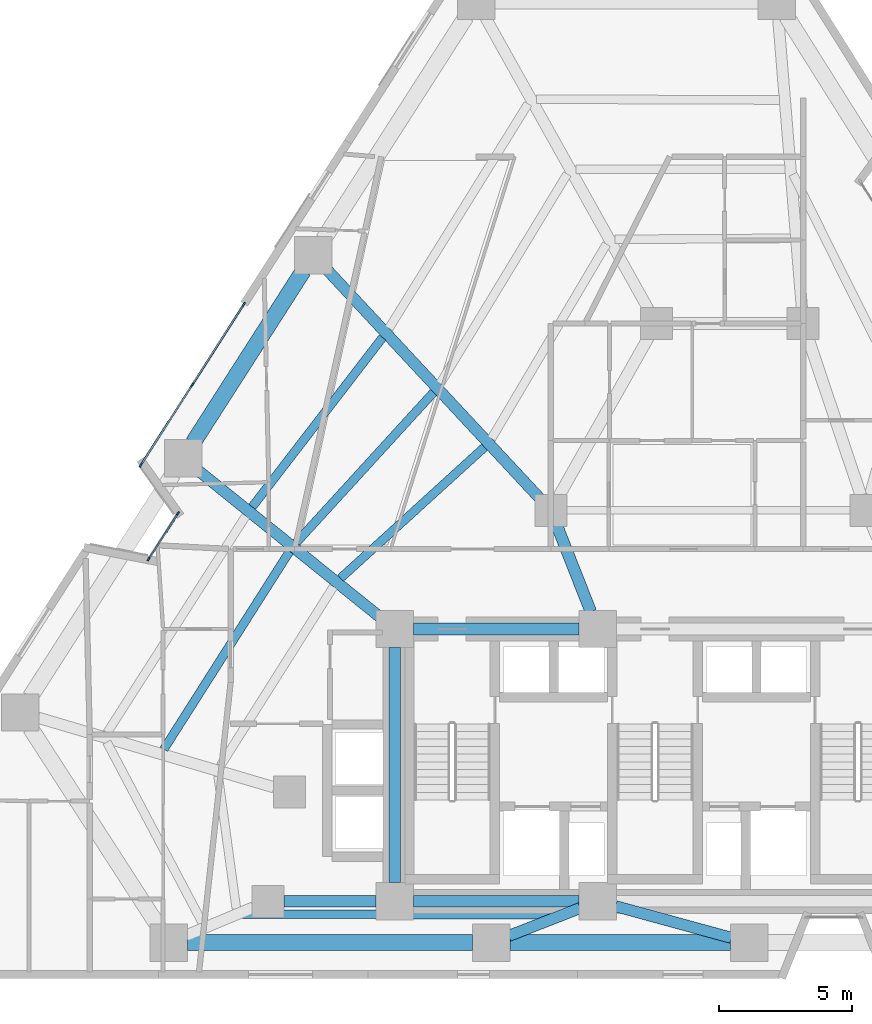
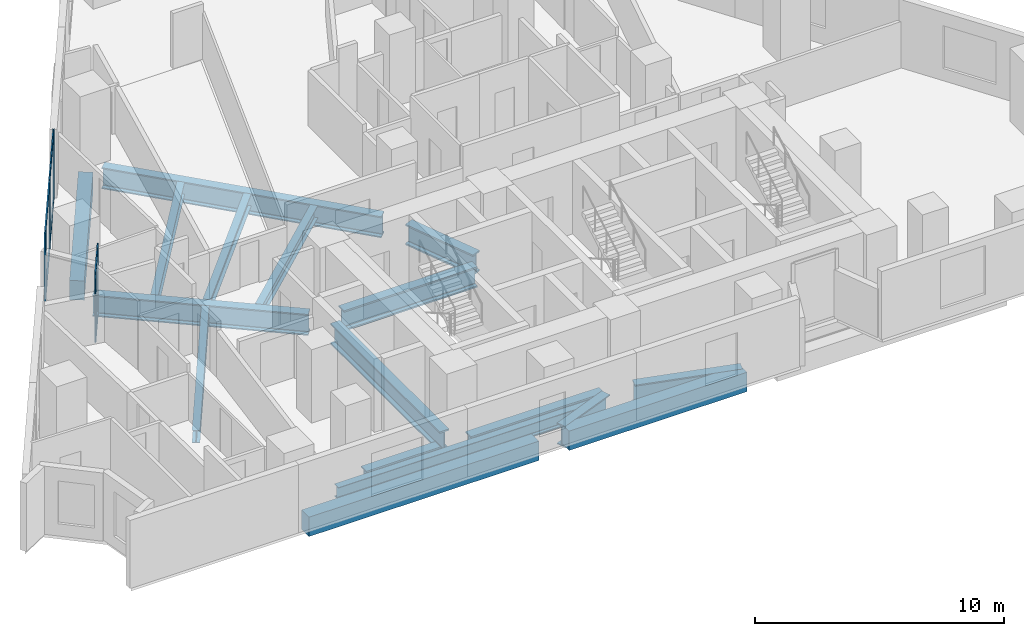
# One storey, part 2 of 14: 17 beams, 11 members, 2 elements without a shape of their own.
"""IFC4 building model written with IfcOpenShell, lengths in metres."""

import ifcopenshell
import ifcopenshell.guid

model = None  # the IFC model being written
_history = None  # IfcOwnerHistory: only IFC2X3 demands one
_inside = {}  # id of a spatial element -> (the spatial element, [elements in it])
_under = {}  # id of a project, library or spatial element -> (it, [spatial elements below it])
_declared = {}  # id of a project -> (the project, [libraries it declares])
_typed = {}  # id of a type object -> (the type object, [elements of that type])
_made_of = {}  # id of a material, layer set ... -> (it, [elements and type objects made of it])


def new_model(schema):
    """Start an empty IFC model of exactly this schema.

    Asked for "IFC4X3", IfcOpenShell would pick the latest addendum, in which some entities
    have other attributes; the version numbers below select the first issue.
    IFC2X3 requires an IfcOwnerHistory on every rooted entity: one is made here for all.
    """
    global model, _history
    if schema == "IFC4X3":
        model = ifcopenshell.file(schema_version=(4, 3, 0, 0))
    else:
        model = ifcopenshell.file(schema=schema)
    _inside.clear()
    _under.clear()
    _declared.clear()
    _typed.clear()
    _made_of.clear()
    _history = None
    if model.schema == "IFC2X3":
        org = make("IfcOrganization", Name="unknown")
        user = make(
            "IfcPersonAndOrganization",
            ThePerson=make("IfcPerson", FamilyName="unknown"),
            TheOrganization=org,
        )
        app = make(
            "IfcApplication",
            ApplicationDeveloper=org,
            Version="unknown",
            ApplicationFullName="unknown",
            ApplicationIdentifier="unknown",
        )
        _history = make(
            "IfcOwnerHistory",
            OwningUser=user,
            OwningApplication=app,
            ChangeAction="ADDED",
            CreationDate=0,
        )
    return model


def make(cls, **values):
    """One entity of the class cls with the attributes given. An attribute that is None is left unset."""
    return model.create_entity(
        cls, **{name: value for name, value in values.items() if value is not None}
    )


def rooted(cls, **values):
    """An entity with a GlobalId (a new one), such as an element, a storey or a relation."""
    return make(cls, GlobalId=ifcopenshell.guid.new(), OwnerHistory=_history, **values)


def si_unit(unit_type, name, prefix=None):
    """IfcSIUnit, for example si_unit("LENGTHUNIT", "METRE", prefix="MILLI")."""
    return make("IfcSIUnit", UnitType=unit_type, Prefix=prefix, Name=name)


def assignment(units):
    """IfcUnitAssignment: the units of a project."""
    return None if units is None else make("IfcUnitAssignment", Units=units)


def point(xyz):
    """IfcCartesianPoint."""
    return None if xyz is None else make("IfcCartesianPoint", Coordinates=xyz)


def direction(xyz):
    """IfcDirection."""
    return None if xyz is None else make("IfcDirection", DirectionRatios=xyz)


def frame(location, z_axis=None, x_axis=None):
    """IfcAxis2Placement3D, a coordinate frame: its origin and axes. An axis left out is left unset."""
    return make(
        "IfcAxis2Placement3D",
        Location=point(location),
        Axis=direction(z_axis),
        RefDirection=direction(x_axis),
    )


def frame_2d(location, x_axis=None):
    """IfcAxis2Placement2D, a coordinate frame in the plane: its origin and x axis."""
    return make(
        "IfcAxis2Placement2D", Location=point(location), RefDirection=direction(x_axis)
    )


def origin():
    """The frame at (0, 0, 0) with its axes left unset."""
    return frame((0.0, 0.0, 0.0))


def origin_2d():
    """The frame at (0, 0) in the plane with its x axis left unset."""
    return frame_2d((0.0, 0.0))


def place(relative_to, where):
    """IfcLocalPlacement: puts the frame where relative to a parent placement (None: the world)."""
    return make(
        "IfcLocalPlacement", PlacementRelTo=relative_to, RelativePlacement=where
    )


def context(
    kind, dimensions, precision=None, world=None, true_north=None, identifier=None
):
    """IfcGeometricRepresentationContext, for example the 3D "Model" context."""
    return make(
        "IfcGeometricRepresentationContext",
        ContextIdentifier=identifier,
        ContextType=kind,
        CoordinateSpaceDimension=dimensions,
        Precision=precision,
        WorldCoordinateSystem=world,
        TrueNorth=true_north,
    )


def subcontext(parent, identifier, kind, view, scale=None):
    """IfcGeometricRepresentationSubContext, for example "Body" below "Model"."""
    return make(
        "IfcGeometricRepresentationSubContext",
        ContextIdentifier=identifier,
        ContextType=kind,
        ParentContext=parent,
        TargetScale=scale,
        TargetView=view,
    )


def project(units=None, contexts=None):
    """IfcProject with its units and contexts."""
    return rooted(
        "IfcProject",
        Name="project",
        RepresentationContexts=contexts,
        UnitsInContext=assignment(units),
    )


def spatial(cls, under=None, at=None, **own):
    """A site, building, storey or space (cls), placed at a placement, below another one or the project."""
    s = rooted(cls, ObjectPlacement=at, **own)
    if under is not None:
        _under.setdefault(under.id(), (under, []))[1].append(s)
    return s


def profile(cls, at=None, kind="AREA", **sizes):
    """A parametric profile (cls). Its sizes go by their IFC names, for example OverallWidth=200.0."""
    return make(cls, ProfileType=kind, Position=at, **sizes)


def rectangle(**sizes):
    """IfcRectangleProfileDef."""
    return profile("IfcRectangleProfileDef", **sizes)


def i_section(**sizes):
    """IfcIShapeProfileDef."""
    return profile("IfcIShapeProfileDef", **sizes)


def extrude(swept, where, along, depth):
    """IfcExtrudedAreaSolid: the profile swept, set in the frame where, extruded along a direction by depth."""
    return make(
        "IfcExtrudedAreaSolid",
        SweptArea=swept,
        Position=where,
        ExtrudedDirection=direction(along),
        Depth=depth,
    )


def shape(context_of_items, identifier, shape_type, items):
    """IfcShapeRepresentation: the items that make up one representation, for example the "Body"."""
    return make(
        "IfcShapeRepresentation",
        ContextOfItems=context_of_items,
        RepresentationIdentifier=identifier,
        RepresentationType=shape_type,
        Items=items,
    )


def material(Name=None, Category=None):
    """IfcMaterial."""
    return make("IfcMaterial", Name=Name, Category=Category)


def layer(
    of_material, thickness, ventilated=None, Name=None, Category=None, Priority=None
):
    """IfcMaterialLayer: one layer of a wall or slab, of a material (None: an air gap)."""
    return make(
        "IfcMaterialLayer",
        Material=of_material,
        LayerThickness=thickness,
        IsVentilated=ventilated,
        Name=Name,
        Category=Category,
        Priority=Priority,
    )


def layer_set(layers, Name=None):
    """IfcMaterialLayerSet."""
    return make("IfcMaterialLayerSet", MaterialLayers=layers, LayerSetName=Name)


def material_profile(
    of_material, cross_section, Name=None, Category=None, Priority=None
):
    """IfcMaterialProfile: a cross section and its material."""
    return make(
        "IfcMaterialProfile",
        Name=Name,
        Material=of_material,
        Profile=cross_section,
        Priority=Priority,
        Category=Category,
    )


def profile_set(profiles, Name=None, composite=None):
    """IfcMaterialProfileSet."""
    return make(
        "IfcMaterialProfileSet",
        Name=Name,
        MaterialProfiles=profiles,
        CompositeProfile=composite,
    )


def made_of(thing, what):
    """Note that an element or type object is made of a material, layer set ...; save() writes the relation."""
    if what is not None:
        _made_of.setdefault(what.id(), (what, []))[1].append(thing)
    return thing


def type_object(cls, material=None, **own):
    """A type object (cls), such as IfcWallType, which elements share."""
    return made_of(rooted(cls, **own), material)


def element(
    cls,
    number,
    at=None,
    inside=None,
    cuts=None,
    type_object=None,
    material=None,
    context=None,
    identifier="Body",
    shape_type=None,
    held_by="IfcProductDefinitionShape",
    body=None,
    shapes=None,
    **own,
):
    """One element of the class cls, such as IfcWall. Its Tag is "e" and its number.

    at: its placement. inside: the storey or other place that contains it. cuts: it is an
    opening in that element (IfcRelVoidsElement). A single representation is given by context,
    identifier, shape_type and body (its items); several are given by shapes. held_by: the class
    of the entity that holds the representations. save() writes the other relations.
    """
    e = rooted(cls, Tag="e%d" % number, ObjectPlacement=at, **own)
    if body is not None:
        shapes = [shape(context, identifier, shape_type, body)]
    if shapes is not None:
        e.Representation = make(held_by, Representations=shapes)
    if inside is not None:
        _inside.setdefault(inside.id(), (inside, []))[1].append(e)
    if cuts is not None:
        rooted(
            "IfcRelVoidsElement", RelatingBuildingElement=cuts, RelatedOpeningElement=e
        )
    if type_object is not None:
        _typed.setdefault(type_object.id(), (type_object, []))[1].append(e)
    return made_of(e, material)


def aggregate(whole, parts):
    """IfcRelAggregates: a whole, such as a stair, and the parts it consists of."""
    return rooted("IfcRelAggregates", RelatingObject=whole, RelatedObjects=parts)


def save(model, path):
    """Write the relations noted so far, then the file.

    IfcRelAggregates (storeys below a building ...), IfcRelContainedInSpatialStructure (elements
    in a storey), IfcRelDefinesByType, IfcRelAssociatesMaterial and IfcRelDeclares: one each for
    every whole, place, type object, material and project.
    """
    for whole, parts in _under.values():
        aggregate(whole, parts)
    for where, things in _inside.values():
        rooted(
            "IfcRelContainedInSpatialStructure",
            RelatedElements=things,
            RelatingStructure=where,
        )
    for kind, things in _typed.values():
        rooted("IfcRelDefinesByType", RelatedObjects=things, RelatingType=kind)
    for what, things in _made_of.values():
        rooted("IfcRelAssociatesMaterial", RelatedObjects=things, RelatingMaterial=what)
    for by, libraries in _declared.values():
        rooted("IfcRelDeclares", RelatingContext=by, RelatedDefinitions=libraries)
    model.write(path)


model = new_model("IFC4")

# Units and contexts
model_context = context("Model", 3, precision=1e-05, world=origin(), true_north=direction((0.0, 1.0)))
body_context = subcontext(model_context, "Body", "Model", "MODEL_VIEW")
ifc_project = project(units=[si_unit("LENGTHUNIT", "METRE"), si_unit("AREAUNIT", "SQUARE_METRE"), si_unit("VOLUMEUNIT", "CUBIC_METRE"), si_unit("PLANEANGLEUNIT", "RADIAN"), si_unit("MASSUNIT", "GRAM", prefix="KILO")], contexts=[model_context])

# Site, building, storey
site_placement = place(None, origin())
site = spatial("IfcSite", under=ifc_project, at=site_placement, CompositionType="ELEMENT")
building_placement = place(site_placement, origin())
building = spatial("IfcBuilding", under=site, at=building_placement, Name="Almagre Mirador Tower", CompositionType="ELEMENT")
storey_placement = place(building_placement, frame((0.0, 0.0, 60.60009765625)))
storey = spatial("IfcBuildingStorey", under=building, at=storey_placement, Name="L14", CompositionType="ELEMENT", Elevation=60.60009765625)

# Beams
ifc_material_1 = material(Name="Steel ASTM A992 Grade 50", Category="steel")
ifc_material_profile_1 = material_profile(ifc_material_1, i_section(OverallWidth=0.323974609375, OverallDepth=0.611083984375, WebThickness=0.0126953125, FlangeThickness=0.01904296875, FilletRadius=0.02001953125, at=origin_2d()), Name="W24X104")
ifc_profile_set_1 = profile_set([ifc_material_profile_1], Name="Steel ASTM A992 Grade 50")
beam_type_1 = type_object("IfcBeamType", Name="BM-JST-W24X104", PredefinedType="JOIST", material=ifc_profile_set_1)
beam_1_placement = place(storey_placement, frame((21.852783203125, 4.066650390625, -0.5556640625), z_axis=(0.999998523692, -0.001718317236, 0.0), x_axis=(0.001718317236, 0.999998523692, 0.0)))
element("IfcBeam", 1, at=beam_1_placement, inside=storey, type_object=beam_type_1, Name="L14 secondary floor joist PC01-PC02.3", PredefinedType="JOIST", context=body_context, shape_type="SweptSolid", body=[
    extrude(i_section(OverallWidth=0.323974609375, OverallDepth=0.611083984375, WebThickness=0.0126953125, FlangeThickness=0.01904296875, FilletRadius=0.02001953125, at=origin_2d()), origin(), (0.0, 0.0, 1.0), 11.792724609375),
])
beam_2_placement = place(storey_placement, frame((27.093017578125, 25.672119140625, -0.5556640625), z_axis=(-0.610045173771, -0.792366636071, 0.0), x_axis=(0.792366636071, -0.610045173771, 0.0)))
element("IfcBeam", 2, at=beam_2_placement, inside=storey, type_object=beam_type_1, Name="L14 secondary floor joist PC10-PC11.1", PredefinedType="JOIST", context=body_context, shape_type="SweptSolid", body=[
    extrude(i_section(OverallWidth=0.323974609375, OverallDepth=0.611083984375, WebThickness=0.0126953125, FlangeThickness=0.01904296875, FilletRadius=0.02001953125, at=origin_2d()), origin(), (0.0, 0.0, 1.0), 8.007568359375),
])
beam_3_placement = place(storey_placement, frame((29.0029296875, 23.6171875, -0.5556640625), z_axis=(-0.674525341374, -0.738251694102, 0.0), x_axis=(0.738251694102, -0.674525341374, 0.0)))
element("IfcBeam", 3, at=beam_3_placement, inside=storey, type_object=beam_type_1, Name="L14 secondary floor joist PC10-PC11.2", PredefinedType="JOIST", context=body_context, shape_type="SweptSolid", body=[
    extrude(i_section(OverallWidth=0.323974609375, OverallDepth=0.611083984375, WebThickness=0.0126953125, FlangeThickness=0.01904296875, FilletRadius=0.02001953125, at=origin_2d()), origin(), (0.0, 0.0, 1.0), 7.6201171875),
])
beam_4_placement = place(storey_placement, frame((30.912841796875, 21.564453125, -0.5556640625), z_axis=(-0.739528010183, -0.673125784794, 0.0), x_axis=(0.673125784794, -0.739528010183, 0.0)))
element("IfcBeam", 4, at=beam_4_placement, inside=storey, type_object=beam_type_1, Name="L14 secondary floor joist PC10-PC11.3", PredefinedType="JOIST", context=body_context, shape_type="SweptSolid", body=[
    extrude(i_section(OverallWidth=0.323974609375, OverallDepth=0.611083984375, WebThickness=0.0126953125, FlangeThickness=0.01904296875, FilletRadius=0.02001953125, at=origin_2d()), origin(), (0.0, 0.0, 1.0), 7.294677734375),
])
beam_5_placement = place(storey_placement, frame((23.609375, 17.660400390625, -0.5556640625), z_axis=(-0.536506743166, -0.843896033015, 0.0), x_axis=(0.843896033015, -0.536506743166, 0.0)))
element("IfcBeam", 5, at=beam_5_placement, inside=storey, type_object=beam_type_1, Name="L14 secondary floor joist PC11-PC12.2", PredefinedType="JOIST", context=body_context, shape_type="SweptSolid", body=[
    extrude(i_section(OverallWidth=0.323974609375, OverallDepth=0.611083984375, WebThickness=0.0126953125, FlangeThickness=0.01904296875, FilletRadius=0.02001953125, at=origin_2d()), origin(), (0.0, 0.0, 1.0), 8.783447265625),
])
ifc_material_2 = material(Name="Precast concrete C50/60", Category="concrete")
ifc_material_profile_2 = material_profile(ifc_material_2, rectangle(XDim=0.60009765625, YDim=0.949951171875, at=origin_2d()), Name="RC600X950")
ifc_profile_set_2 = profile_set([ifc_material_profile_2], Name="Precast concrete C50/60")
beam_type_2 = type_object("IfcBeamType", Name="BM-SPN-RC600X950", PredefinedType="SPANDREL", material=ifc_profile_set_2)
beam_6_placement = place(storey_placement, frame((19.7880859375, 3.0, -0.72509765625), z_axis=(1.0, 0.0, 0.0), x_axis=(0.0, 1.0, 0.0)))
element("IfcBeam", 6, at=beam_6_placement, inside=storey, type_object=beam_type_2, Name="L14 perimeter spandrel beam PC01-PC02", PredefinedType="SPANDREL", context=body_context, shape_type="SweptSolid", body=[
    extrude(rectangle(XDim=0.60009765625, YDim=0.949951171875, at=origin_2d()), origin(), (0.0, 0.0, 1.0), 10.679931640625),
])
beam_7_placement = place(storey_placement, frame((31.867919921875, 3.0, -0.72509765625), z_axis=(1.0, 0.0, 0.0), x_axis=(0.0, 1.0, 0.0)))
element("IfcBeam", 7, at=beam_7_placement, inside=storey, type_object=beam_type_2, Name="L14 perimeter spandrel beam PC02-PC03", PredefinedType="SPANDREL", context=body_context, shape_type="SweptSolid", body=[
    extrude(rectangle(XDim=0.60009765625, YDim=0.949951171875, at=origin_2d()), origin(), (0.0, 0.0, 1.0), 8.26416015625),
])
beam_8_placement = place(storey_placement, frame((24.122314453125, 28.171630859375, -0.72509765625), z_axis=(-0.539486777129, -0.841994072012, 0.0), x_axis=(0.841994072012, -0.539486777129, 0.0)))
element("IfcBeam", 8, at=beam_8_placement, inside=storey, type_object=beam_type_2, Name="L14 perimeter spandrel beam PC10-PC11", PredefinedType="SPANDREL", context=body_context, shape_type="SweptSolid", body=[
    extrude(rectangle(XDim=0.60009765625, YDim=0.949951171875, at=origin_2d()), origin(), (0.0, 0.0, 1.0), 7.645263671875),
])
ifc_material_3 = material(Name="Steel ASTM A992 Grade 50", Category="steel")
ifc_material_profile_3 = material_profile(ifc_material_3, i_section(OverallWidth=0.43701171875, OverallDepth=1.010986328125, WebThickness=0.041015625, FlangeThickness=0.073974609375, FilletRadius=0.028076171875, at=origin_2d()), Name="W36X529")
ifc_profile_set_3 = profile_set([ifc_material_profile_3], Name="Steel ASTM A992 Grade 50")
beam_type_3 = type_object("IfcBeamType", Name="BM-STL-W36X529", PredefinedType="BEAM", material=ifc_profile_set_3)
for number, where, z_axis, x_axis, name in (
    (9, (28.25, 4.550048828125, -0.755615234375), (1.0, 0.0, 0.0), (0.0, 1.0, 0.0), "L14 core tie girder CC1-CC2"),
    (10, (28.25, 14.75, -0.755615234375), (1.0, 0.0, 0.0), (0.0, 1.0, 0.0), "L14 core tie girder CC4-CC5"),
):
    element("IfcBeam", number, at=place(storey_placement, frame(where, z_axis=z_axis, x_axis=x_axis)), inside=storey, type_object=beam_type_3, Name=name, PredefinedType="BEAM", context=body_context, shape_type="SweptSolid", body=[
        extrude(i_section(OverallWidth=0.43701171875, OverallDepth=1.010986328125, WebThickness=0.041015625, FlangeThickness=0.073974609375, FilletRadius=0.028076171875, at=origin_2d()), origin(), (0.0, 0.0, 1.0), 6.199951171875),
    ])
beam_9_placement = place(storey_placement, frame((27.550048828125, 5.25, -0.755615234375), z_axis=(0.0, 1.0, 0.0), x_axis=(-1.0, 0.0, 0.0)))
element("IfcBeam", 11, at=beam_9_placement, inside=storey, type_object=beam_type_3, Name="L14 core tie girder CC1-CC4", PredefinedType="BEAM", context=body_context, shape_type="SweptSolid", body=[
    extrude(i_section(OverallWidth=0.43701171875, OverallDepth=1.010986328125, WebThickness=0.041015625, FlangeThickness=0.073974609375, FilletRadius=0.028076171875, at=origin_2d()), origin(), (0.0, 0.0, 1.0), 8.800048828125),
])
beam_10_placement = place(storey_placement, frame((23.39990234375, 4.550048828125, -0.755615234375), z_axis=(1.0, 0.0, 0.0), x_axis=(0.0, 1.0, 0.0)))
element("IfcBeam", 12, at=beam_10_placement, inside=storey, type_object=beam_type_3, Name="L14 core tie girder MC1-CC1", PredefinedType="BEAM", context=body_context, shape_type="SweptSolid", body=[
    extrude(i_section(OverallWidth=0.43701171875, OverallDepth=1.010986328125, WebThickness=0.041015625, FlangeThickness=0.073974609375, FilletRadius=0.028076171875, at=origin_2d()), origin(), (0.0, 0.0, 1.0), 3.4501953125),
])
beam_11_placement = place(storey_placement, frame((33.61962890625, 18.6416015625, -0.755615234375), z_axis=(0.365956076985, -0.93063212373, 0.0), x_axis=(0.93063212373, 0.365956076985, 0.0)))
element("IfcBeam", 13, at=beam_11_placement, inside=storey, type_object=beam_type_3, Name="L14 core tie girder MC8-CC5", PredefinedType="BEAM", context=body_context, shape_type="SweptSolid", body=[
    extrude(i_section(OverallWidth=0.43701171875, OverallDepth=1.010986328125, WebThickness=0.041015625, FlangeThickness=0.073974609375, FilletRadius=0.028076171875, at=origin_2d()), origin(), (0.0, 0.0, 1.0), 3.481689453125),
])
ifc_material_4 = material(Name="Steel ASTM A913 Grade 65", Category="steel")
ifc_material_profile_4 = material_profile(ifc_material_4, i_section(OverallWidth=0.4189453125, OverallDepth=1.041015625, WebThickness=0.031005859375, FlangeThickness=0.055908203125, FilletRadius=0.030029296875, at=origin_2d()), Name="W40X397")
ifc_profile_set_4 = profile_set([ifc_material_profile_4], Name="Steel ASTM A913 Grade 65")
beam_type_4 = type_object("IfcBeamType", Name="BM-STL-W40X397", PredefinedType="BEAM", material=ifc_profile_set_4)
beam_12_placement = place(storey_placement, frame((31.8203125, 3.25390625, -0.7705078125), z_axis=(0.931888214073, 0.362745580913, 0.0), x_axis=(-0.362745580913, 0.931888214073, 0.0)))
element("IfcBeam", 14, at=beam_12_placement, inside=storey, type_object=beam_type_4, Name="L14 radial floor girder PC02-CC2", PredefinedType="BEAM", context=body_context, shape_type="SweptSolid", body=[
    extrude(i_section(OverallWidth=0.4189453125, OverallDepth=1.041015625, WebThickness=0.031005859375, FlangeThickness=0.055908203125, FilletRadius=0.030029296875, at=origin_2d()), origin(), (0.0, 0.0, 1.0), 2.873291015625),
])
beam_13_placement = place(storey_placement, frame((40.15673828125, 3.18408203125, -0.7705078125), z_axis=(-0.964746251324, 0.263181820336, 0.0), x_axis=(-0.263181820336, -0.964746251324, 0.0)))
element("IfcBeam", 15, at=beam_13_placement, inside=storey, type_object=beam_type_4, Name="L14 radial floor girder PC03-CC2", PredefinedType="BEAM", context=body_context, shape_type="SweptSolid", body=[
    extrude(i_section(OverallWidth=0.4189453125, OverallDepth=1.041015625, WebThickness=0.031005859375, FlangeThickness=0.055908203125, FilletRadius=0.030029296875, at=origin_2d()), origin(), (0.0, 0.0, 1.0), 4.48974609375),
])
beam_14_placement = place(storey_placement, frame((24.976806640625, 28.24853515625, -0.7705078125), z_axis=(0.681362933779, -0.731945730551, 0.0), x_axis=(0.731945730551, 0.681362933779, 0.0)))
element("IfcBeam", 16, at=beam_14_placement, inside=storey, type_object=beam_type_4, Name="L14 radial floor girder PC10-MC8", PredefinedType="BEAM", context=body_context, shape_type="SweptSolid", body=[
    extrude(i_section(OverallWidth=0.4189453125, OverallDepth=1.041015625, WebThickness=0.031005859375, FlangeThickness=0.055908203125, FilletRadius=0.030029296875, at=origin_2d()), origin(), (0.0, 0.0, 1.0), 11.76220703125),
])
beam_15_placement = place(storey_placement, frame((20.164794921875, 20.70556640625, -0.7705078125), z_axis=(0.778428805214, -0.627732901171, 0.0), x_axis=(0.627732901171, 0.778428805214, 0.0)))
element("IfcBeam", 17, at=beam_15_placement, inside=storey, type_object=beam_type_4, Name="L14 radial floor girder PC11-CC4", PredefinedType="BEAM", context=body_context, shape_type="SweptSolid", body=[
    extrude(i_section(OverallWidth=0.4189453125, OverallDepth=1.041015625, WebThickness=0.031005859375, FlangeThickness=0.055908203125, FilletRadius=0.030029296875, at=origin_2d()), origin(), (0.0, 0.0, 1.0), 8.787353515625),
])

# Curtain wall, members
ifc_material_5 = material(Name="Black anodized aluminium", Category="aluminium")
ifc_layer_1 = layer(ifc_material_5, 0.169921875)
ifc_layer_set_1 = layer_set([ifc_layer_1], Name="Black anodized aluminium")
curtain_wall_type_1 = type_object("IfcCurtainWallType", Name="CW-CRS-SYS", PredefinedType="NOTDEFINED", material=ifc_layer_set_1)
curtain_wall_1_placement = place(storey_placement, origin())
curtain_wall_1 = element("IfcCurtainWall", 18, at=curtain_wall_1_placement, inside=storey, type_object=curtain_wall_type_1, Name="L14 vertical crease curtain wall 01", PredefinedType="NOTDEFINED")
ifc_material_6 = material(Name="Black anodized aluminium", Category="aluminium")
ifc_material_profile_5 = material_profile(ifc_material_6, rectangle(XDim=0.06005859375, YDim=0.14990234375, at=origin_2d()), Name="CWM60X150")
ifc_profile_set_5 = profile_set([ifc_material_profile_5], Name="Black anodized aluminium")
member_type_1 = type_object("IfcMemberType", Name="MBR-CWM60X150", PredefinedType="MULLION", material=ifc_profile_set_5)
member_1_placement = place(storey_placement, frame((18.330078125, 17.370361328125, 0.0), z_axis=(0.0, 0.0, 1.0), x_axis=(-0.841923718176, 0.539596564827, 0.0)))
member_1 = element("IfcMember", 19, at=member_1_placement, type_object=member_type_1, Name="CW-4 mullion 1", PredefinedType="MULLION", context=body_context, shape_type="SweptSolid", body=[
    extrude(rectangle(XDim=0.06005859375, YDim=0.14990234375, at=origin_2d()), origin(), (0.0, 0.0, 1.0), 3.349853515625),
])
member_2_placement = place(storey_placement, frame((19.42578125, 19.079833984375, 0.0), z_axis=(0.0, 0.0, 1.0), x_axis=(-0.841923718176, 0.539596564827, 0.0)))
member_2 = element("IfcMember", 20, at=member_2_placement, type_object=member_type_1, Name="CW-4 mullion 2", PredefinedType="MULLION", context=body_context, shape_type="SweptSolid", body=[
    extrude(rectangle(XDim=0.06005859375, YDim=0.14990234375, at=origin_2d()), origin(), (0.0, 0.0, 1.0), 3.349853515625),
])

ifc_material_7 = material(Name="Black anodized aluminium", Category="aluminium")
ifc_layer_2 = layer(ifc_material_7, 0.18994140625)
ifc_layer_set_2 = layer_set([ifc_layer_2], Name="Black anodized aluminium")
curtain_wall_type_2 = type_object("IfcCurtainWallType", Name="CW-RES-L-SYS", PredefinedType="NOTDEFINED", material=ifc_layer_set_2)
curtain_wall_2_placement = place(storey_placement, origin())
curtain_wall_2 = element("IfcCurtainWall", 21, at=curtain_wall_2_placement, inside=storey, type_object=curtain_wall_type_2, Name="L14 curtain wall run 02", PredefinedType="NOTDEFINED")
ifc_material_8 = material(Name="Black anodized aluminium", Category="aluminium")
ifc_material_profile_6 = material_profile(ifc_material_8, rectangle(XDim=0.06494140625, YDim=0.179931640625, at=origin_2d()), Name="CWM65X180")
ifc_profile_set_6 = profile_set([ifc_material_profile_6], Name="Black anodized aluminium")
member_type_2 = type_object("IfcMemberType", Name="MBR-CWM65X180", PredefinedType="MULLION", material=ifc_profile_set_6)
member_3_placement = place(storey_placement, frame((18.034912109375, 20.89453125, 0.0), z_axis=(0.0, 0.0, 1.0), x_axis=(-0.841984513569, 0.539501695001, 0.0)))
member_3 = element("IfcMember", 22, at=member_3_placement, type_object=member_type_2, Name="CW-2 mullion 1", PredefinedType="MULLION", context=body_context, shape_type="SweptSolid", body=[
    extrude(rectangle(XDim=0.06494140625, YDim=0.179931640625, at=origin_2d()), origin(), (0.0, 0.0, 1.0), 3.349853515625),
])
member_4_placement = place(storey_placement, frame((19.961669921875, 23.901123046875, 0.0), z_axis=(0.0, 0.0, 1.0), x_axis=(-0.841984513569, 0.539501695001, 0.0)))
member_4 = element("IfcMember", 23, at=member_4_placement, type_object=member_type_2, Name="CW-2 mullion 2", PredefinedType="MULLION", context=body_context, shape_type="SweptSolid", body=[
    extrude(rectangle(XDim=0.06494140625, YDim=0.179931640625, at=origin_2d()), origin(), (0.0, 0.0, 1.0), 3.349853515625),
])
member_5_placement = place(storey_placement, frame((21.88818359375, 26.907958984375, 0.0), z_axis=(0.0, 0.0, 1.0), x_axis=(-0.841984513569, 0.539501695001, 0.0)))
member_5 = element("IfcMember", 24, at=member_5_placement, type_object=member_type_2, Name="CW-2 mullion 3", PredefinedType="MULLION", context=body_context, shape_type="SweptSolid", body=[
    extrude(rectangle(XDim=0.06494140625, YDim=0.179931640625, at=origin_2d()), origin(), (0.0, 0.0, 1.0), 3.349853515625),
])

# Member
ifc_material_9 = material(Name="Black anodized aluminium", Category="aluminium")
ifc_material_profile_7 = material_profile(ifc_material_9, rectangle(XDim=0.06005859375, YDim=0.1298828125, at=origin_2d()), Name="CWT60X130")
ifc_profile_set_7 = profile_set([ifc_material_profile_7], Name="Black anodized aluminium")
member_type_3 = type_object("IfcMemberType", Name="MBR-CWT60X130", PredefinedType="USERDEFINED", material=ifc_profile_set_7)
member_6_placement = place(storey_placement, frame((18.346435546875, 17.3955078125, 0.02978515625), z_axis=(0.539598560897, 0.841922438873, 0.0), x_axis=(-0.841922438873, 0.539598560897, 0.0)))
member_6 = element("IfcMember", 25, at=member_6_placement, type_object=member_type_3, Name="CW-4 transom 1.1", ObjectType="TRANSOM", PredefinedType="USERDEFINED", context=body_context, shape_type="SweptSolid", body=[
    extrude(rectangle(XDim=0.06005859375, YDim=0.1298828125, at=origin_2d()), origin(), (0.0, 0.0, 1.0), 1.970458984375),
])

member_7_placement = place(storey_placement, frame((18.346435546875, 17.3955078125, 3.31982421875), z_axis=(0.539598560897, 0.841922438873, 0.0), x_axis=(-0.841922438873, 0.539598560897, 0.0)))
member_7 = element("IfcMember", 26, at=member_7_placement, type_object=member_type_3, Name="CW-4 transom 1.2", ObjectType="TRANSOM", PredefinedType="USERDEFINED", context=body_context, shape_type="SweptSolid", body=[
    extrude(rectangle(XDim=0.06005859375, YDim=0.1298828125, at=origin_2d()), origin(), (0.0, 0.0, 1.0), 1.970458984375),
])

aggregate(curtain_wall_1, [member_1, member_2, member_6, member_7])

member_8_placement = place(storey_placement, frame((18.052490234375, 20.921875, 0.02978515625), z_axis=(0.539535760743, 0.841962684969, 0.0), x_axis=(-0.841962684969, 0.539535760743, 0.0)))
member_8 = element("IfcMember", 27, at=member_8_placement, type_object=member_type_3, Name="CW-2 transom 1.1", ObjectType="TRANSOM", PredefinedType="USERDEFINED", context=body_context, shape_type="SweptSolid", body=[
    extrude(rectangle(XDim=0.06005859375, YDim=0.1298828125, at=origin_2d()), origin(), (0.0, 0.0, 1.0), 3.505859375),
])

member_9_placement = place(storey_placement, frame((18.052490234375, 20.921875, 3.31982421875), z_axis=(0.539535760743, 0.841962684969, 0.0), x_axis=(-0.841962684969, 0.539535760743, 0.0)))
member_9 = element("IfcMember", 28, at=member_9_placement, type_object=member_type_3, Name="CW-2 transom 1.2", ObjectType="TRANSOM", PredefinedType="USERDEFINED", context=body_context, shape_type="SweptSolid", body=[
    extrude(rectangle(XDim=0.06005859375, YDim=0.1298828125, at=origin_2d()), origin(), (0.0, 0.0, 1.0), 3.505859375),
])

member_10_placement = place(storey_placement, frame((19.979248046875, 23.928466796875, 0.02978515625), z_axis=(0.539454762032, 0.842014584031, 0.0), x_axis=(-0.842014584031, 0.539454762032, 0.0)))
member_10 = element("IfcMember", 29, at=member_10_placement, type_object=member_type_3, Name="CW-2 transom 2.1", ObjectType="TRANSOM", PredefinedType="USERDEFINED", context=body_context, shape_type="SweptSolid", body=[
    extrude(rectangle(XDim=0.06005859375, YDim=0.1298828125, at=origin_2d()), origin(), (0.0, 0.0, 1.0), 3.506103515625),
])

member_11_placement = place(storey_placement, frame((19.979248046875, 23.928466796875, 3.31982421875), z_axis=(0.539454762032, 0.842014584031, 0.0), x_axis=(-0.842014584031, 0.539454762032, 0.0)))
member_11 = element("IfcMember", 30, at=member_11_placement, type_object=member_type_3, Name="CW-2 transom 2.2", ObjectType="TRANSOM", PredefinedType="USERDEFINED", context=body_context, shape_type="SweptSolid", body=[
    extrude(rectangle(XDim=0.06005859375, YDim=0.1298828125, at=origin_2d()), origin(), (0.0, 0.0, 1.0), 3.506103515625),
])

aggregate(curtain_wall_2, [member_3, member_4, member_5, member_8, member_9, member_10, member_11])

save(model, "model.ifc")
